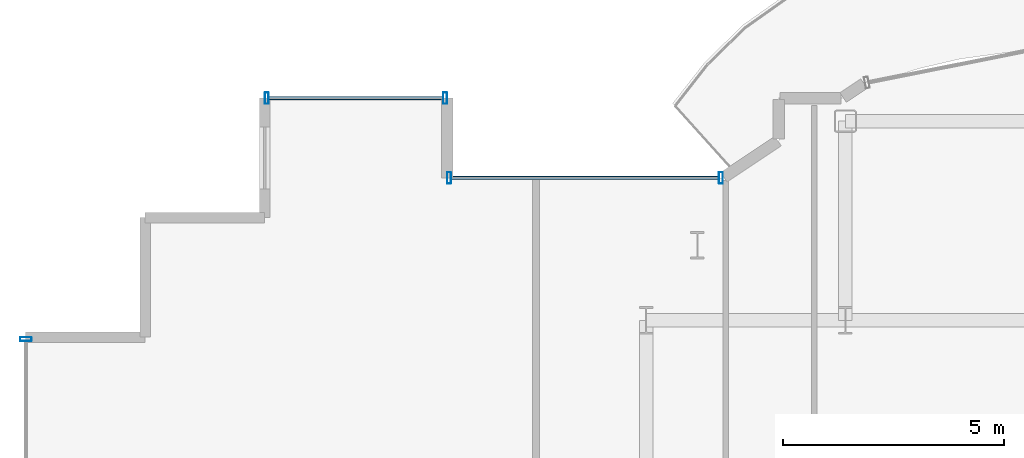
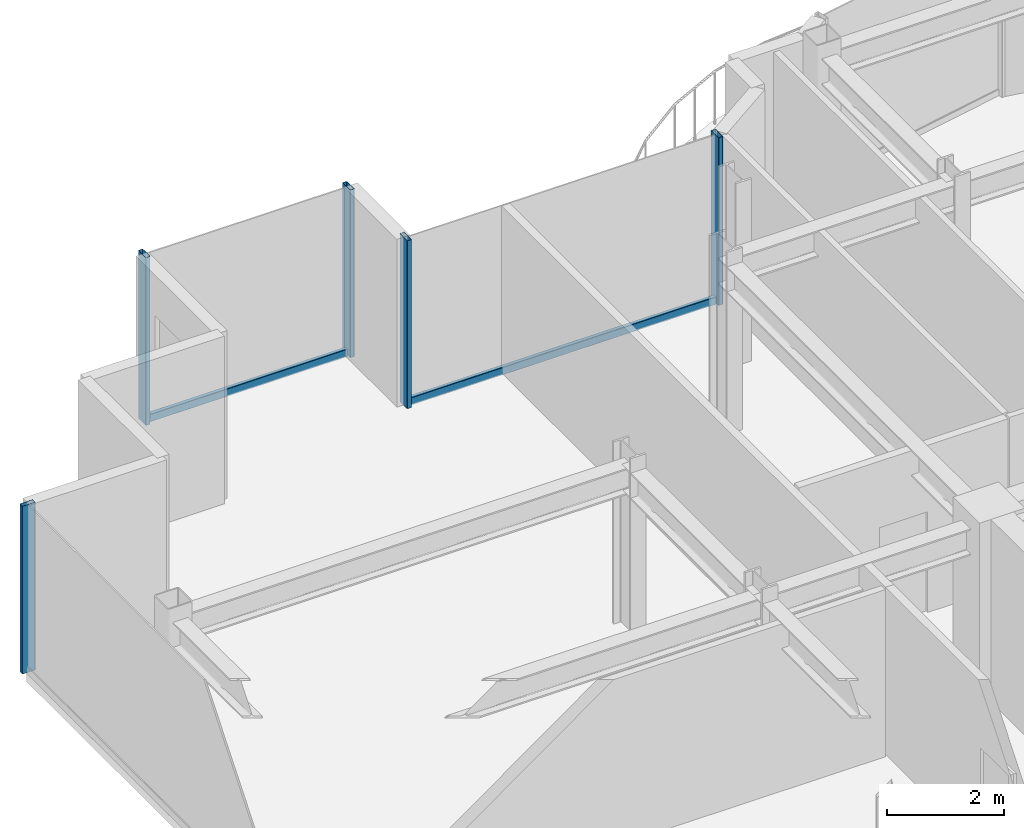
# One storey, part 9 of 18: 7 members, 3 elements without a shape of their own.
"""IFC4 building model written with IfcOpenShell, lengths in metres."""

from ifc_helpers import new_model, si_unit, direction, frame, origin, origin_2d, place, context, subcontext, project, spatial, hollow_rectangle, extrude, source, transform, mapped, material, layer, layer_set, material_profile, profile_set, type_object, element, aggregate, save


model = new_model("IFC4")

# Units and contexts
model_context = context("Model", 3, precision=1e-05, world=origin(), true_north=direction((0.0, 1.0)))
body_context = subcontext(model_context, "Body", "Model", "MODEL_VIEW")
ifc_project = project(units=[si_unit("LENGTHUNIT", "METRE"), si_unit("AREAUNIT", "SQUARE_METRE"), si_unit("VOLUMEUNIT", "CUBIC_METRE"), si_unit("PLANEANGLEUNIT", "RADIAN"), si_unit("MASSUNIT", "GRAM", prefix="KILO")], contexts=[model_context])

# Site, building, storey
site_placement = place(None, origin())
site = spatial("IfcSite", under=ifc_project, at=site_placement, CompositionType="ELEMENT")
building_placement = place(site_placement, origin())
building = spatial("IfcBuilding", under=site, at=building_placement, Name="Nefas-Gora Pilgrimage Tower", CompositionType="ELEMENT")
storey_placement = place(building_placement, frame((0.0, 0.0, 314.0)))
storey = spatial("IfcBuildingStorey", under=building, at=storey_placement, Name="L79", CompositionType="ELEMENT", Elevation=314.0)

# Curtain wall, members
ifc_material_1 = material(Name="Dark ceramic-fritted solar-control aluminium-glass curtain wall", Category="aluminium")
ifc_layer_1 = layer(ifc_material_1, 0.219970703125)
ifc_layer_set_1 = layer_set([ifc_layer_1], Name="Dark ceramic-fritted solar-control aluminium-glass curtain wall")
curtain_wall_type_1 = type_object("IfcCurtainWallType", Name="CW-SYS-5", PredefinedType="NOTDEFINED", material=ifc_layer_set_1)
curtain_wall_1_placement = place(storey_placement, origin())
curtain_wall_1 = element("IfcCurtainWall", 1, at=curtain_wall_1_placement, inside=storey, type_object=curtain_wall_type_1, Name="L79 Unitised Curtain Wall CW5", PredefinedType="NOTDEFINED")
ifc_material_2 = material(Name="Anodised architectural aluminium", Category="aluminium")
ifc_material_profile_1 = material_profile(ifc_material_2, hollow_rectangle(XDim=0.080078125, YDim=0.159912109375, WallThickness=0.00439453125, InnerFilletRadius=0.00439453125, OuterFilletRadius=0.009033203125, at=origin_2d()), Name="ALU TRANSOM 80x160")
ifc_profile_set_1 = profile_set([ifc_material_profile_1], Name="Anodised architectural aluminium")
member_type_1 = type_object("IfcMemberType", Name="CWM-TRN-5", PredefinedType="USERDEFINED", material=ifc_profile_set_1)
shared_shape_1 = source(origin(), body_context, "Body", "SweptSolid", [
    extrude(hollow_rectangle(XDim=0.080078125, YDim=0.159912109375, WallThickness=0.00439453125, InnerFilletRadius=0.00439453125, OuterFilletRadius=0.009033203125, at=origin_2d()), origin(), (0.0, 0.0, 1.0), 6.052001953125),
])
member_1_placement = place(storey_placement, frame((-9.60791015625, 21.219970703125, 0.050048828125), z_axis=(-1.0, 0.0, 0.0), x_axis=(0.0, -1.0, 0.0)))
member_1 = element("IfcMember", 2, at=member_1_placement, type_object=member_type_1, Name="CW5 Spandrel Transom", ObjectType="TRANSOM", PredefinedType="USERDEFINED", context=body_context, shape_type="MappedRepresentation", body=[
    mapped(shared_shape_1, transform((0.0, 0.0, 0.0), x_axis=(1.0, 0.0, 0.0), y_axis=(0.0, 1.0, 0.0), z_axis=(0.0, 0.0, 1.0), scale=1.0)),
])
ifc_material_profile_2 = material_profile(ifc_material_2, hollow_rectangle(XDim=0.090087890625, YDim=0.260009765625, WallThickness=0.006103515625, InnerFilletRadius=0.006103515625, OuterFilletRadius=0.011962890625, at=origin_2d()), Name="ALU MULLION 90x260")
ifc_profile_set_2 = profile_set([ifc_material_profile_2], Name="Anodised architectural aluminium")
member_type_2 = type_object("IfcMemberType", Name="CWM-MUL-5", PredefinedType="MULLION", material=ifc_profile_set_2)
shared_shape_2 = source(origin(), body_context, "Body", "SweptSolid", [
    extrude(hollow_rectangle(XDim=0.090087890625, YDim=0.260009765625, WallThickness=0.006103515625, InnerFilletRadius=0.006103515625, OuterFilletRadius=0.011962890625, at=origin_2d()), origin(), (0.0, 0.0, 1.0), 3.5),
])
member_2_placement = place(storey_placement, frame((-9.56298828125, 21.219970703125, 0.0), z_axis=(0.0, 0.0, 1.0), x_axis=(-1.0, 0.0, 0.0)))
member_2 = element("IfcMember", 3, at=member_2_placement, type_object=member_type_2, Name="CW5 Mullion 1", PredefinedType="MULLION", context=body_context, shape_type="MappedRepresentation", body=[
    mapped(shared_shape_2, transform((0.0, 0.0, 0.0), x_axis=(1.0, 0.0, 0.0), y_axis=(0.0, 1.0, 0.0), z_axis=(0.0, 0.0, 1.0), scale=1.0)),
])
member_3_placement = place(storey_placement, frame((-15.705078125, 21.219970703125, 0.0), z_axis=(0.0, 0.0, 1.0), x_axis=(-1.0, 0.0, 0.0)))
member_3 = element("IfcMember", 4, at=member_3_placement, type_object=member_type_2, Name="CW5 Mullion 2", PredefinedType="MULLION", context=body_context, shape_type="MappedRepresentation", body=[
    mapped(shared_shape_2, transform((0.0, 0.0, 0.0), x_axis=(1.0, 0.0, 0.0), y_axis=(0.0, 1.0, 0.0), z_axis=(0.0, 0.0, 1.0), scale=1.0)),
])
aggregate(curtain_wall_1, [member_2, member_3, member_1])

ifc_layer_2 = layer(ifc_material_1, 0.219970703125)
ifc_layer_set_2 = layer_set([ifc_layer_2], Name="Dark ceramic-fritted solar-control aluminium-glass curtain wall")
curtain_wall_type_2 = type_object("IfcCurtainWallType", Name="CW-SYS-4", PredefinedType="NOTDEFINED", material=ifc_layer_set_2)
curtain_wall_2_placement = place(storey_placement, origin())
curtain_wall_2 = element("IfcCurtainWall", 5, at=curtain_wall_2_placement, inside=storey, type_object=curtain_wall_type_2, Name="L79 Unitised Curtain Wall CW4", PredefinedType="NOTDEFINED")
ifc_material_profile_3 = material_profile(ifc_material_2, hollow_rectangle(XDim=0.080078125, YDim=0.159912109375, WallThickness=0.00439453125, InnerFilletRadius=0.00439453125, OuterFilletRadius=0.009033203125, at=origin_2d()), Name="ALU TRANSOM 80x160")
ifc_profile_set_3 = profile_set([ifc_material_profile_3], Name="Anodised architectural aluminium")
member_type_3 = type_object("IfcMemberType", Name="CWM-TRN-4", PredefinedType="USERDEFINED", material=ifc_profile_set_3)
shared_shape_3 = source(origin(), body_context, "Body", "SweptSolid", [
    extrude(hollow_rectangle(XDim=0.080078125, YDim=0.159912109375, WallThickness=0.00439453125, InnerFilletRadius=0.00439453125, OuterFilletRadius=0.009033203125, at=origin_2d()), origin(), (0.0, 0.0, 1.0), 3.93994140625),
])
member_4_placement = place(storey_placement, frame((-15.840087890625, 23.02001953125, 0.050048828125), z_axis=(-1.0, 0.0, 0.0), x_axis=(0.0, -1.0, 0.0)))
member_4 = element("IfcMember", 6, at=member_4_placement, type_object=member_type_3, Name="CW4 Spandrel Transom", ObjectType="TRANSOM", PredefinedType="USERDEFINED", context=body_context, shape_type="MappedRepresentation", body=[
    mapped(shared_shape_3, transform((0.0, 0.0, 0.0), x_axis=(1.0, 0.0, 0.0), y_axis=(0.0, 1.0, 0.0), z_axis=(0.0, 0.0, 1.0), scale=1.0)),
])
ifc_material_profile_4 = material_profile(ifc_material_2, hollow_rectangle(XDim=0.090087890625, YDim=0.260009765625, WallThickness=0.006103515625, InnerFilletRadius=0.006103515625, OuterFilletRadius=0.011962890625, at=origin_2d()), Name="ALU MULLION 90x260")
ifc_profile_set_4 = profile_set([ifc_material_profile_4], Name="Anodised architectural aluminium")
member_type_4 = type_object("IfcMemberType", Name="CWM-MUL-4", PredefinedType="MULLION", material=ifc_profile_set_4)
shared_shape_4 = source(origin(), body_context, "Body", "SweptSolid", [
    extrude(hollow_rectangle(XDim=0.090087890625, YDim=0.260009765625, WallThickness=0.006103515625, InnerFilletRadius=0.006103515625, OuterFilletRadius=0.011962890625, at=origin_2d()), origin(), (0.0, 0.0, 1.0), 3.5),
])
member_5_placement = place(storey_placement, frame((-15.794921875, 23.02001953125, 0.0), z_axis=(0.0, 0.0, 1.0), x_axis=(-1.0, 0.0, 0.0)))
member_5 = element("IfcMember", 7, at=member_5_placement, type_object=member_type_4, Name="CW4 Mullion 1", PredefinedType="MULLION", context=body_context, shape_type="MappedRepresentation", body=[
    mapped(shared_shape_4, transform((0.0, 0.0, 0.0), x_axis=(1.0, 0.0, 0.0), y_axis=(0.0, 1.0, 0.0), z_axis=(0.0, 0.0, 1.0), scale=1.0)),
])
member_6_placement = place(storey_placement, frame((-19.824951171875, 23.02001953125, 0.0), z_axis=(0.0, 0.0, 1.0), x_axis=(-1.0, 0.0, 0.0)))
member_6 = element("IfcMember", 8, at=member_6_placement, type_object=member_type_4, Name="CW4 Mullion 2", PredefinedType="MULLION", context=body_context, shape_type="MappedRepresentation", body=[
    mapped(shared_shape_4, transform((0.0, 0.0, 0.0), x_axis=(1.0, 0.0, 0.0), y_axis=(0.0, 1.0, 0.0), z_axis=(0.0, 0.0, 1.0), scale=1.0)),
])
aggregate(curtain_wall_2, [member_5, member_6, member_4])

# Curtain wall, member
curtain_wall_3_placement = place(storey_placement, origin())
curtain_wall_3 = element("IfcCurtainWall", 9, at=curtain_wall_3_placement, inside=storey, type_object=curtain_wall_type_2, Name="L79 Unitised Curtain Wall CW4", PredefinedType="NOTDEFINED")
member_7_placement = place(storey_placement, frame((-25.27001953125, 17.574951171875, 0.0), z_axis=(0.0, 0.0, 1.0), x_axis=(0.0, -1.0, 0.0)))
member_7 = element("IfcMember", 10, at=member_7_placement, type_object=member_type_4, Name="CW4 Mullion 1", PredefinedType="MULLION", context=body_context, shape_type="MappedRepresentation", body=[
    mapped(shared_shape_4, transform((0.0, 0.0, 0.0), x_axis=(1.0, 0.0, 0.0), y_axis=(0.0, 1.0, 0.0), z_axis=(0.0, 0.0, 1.0), scale=1.0)),
])
aggregate(curtain_wall_3, [member_7])

save(model, "model.ifc")
